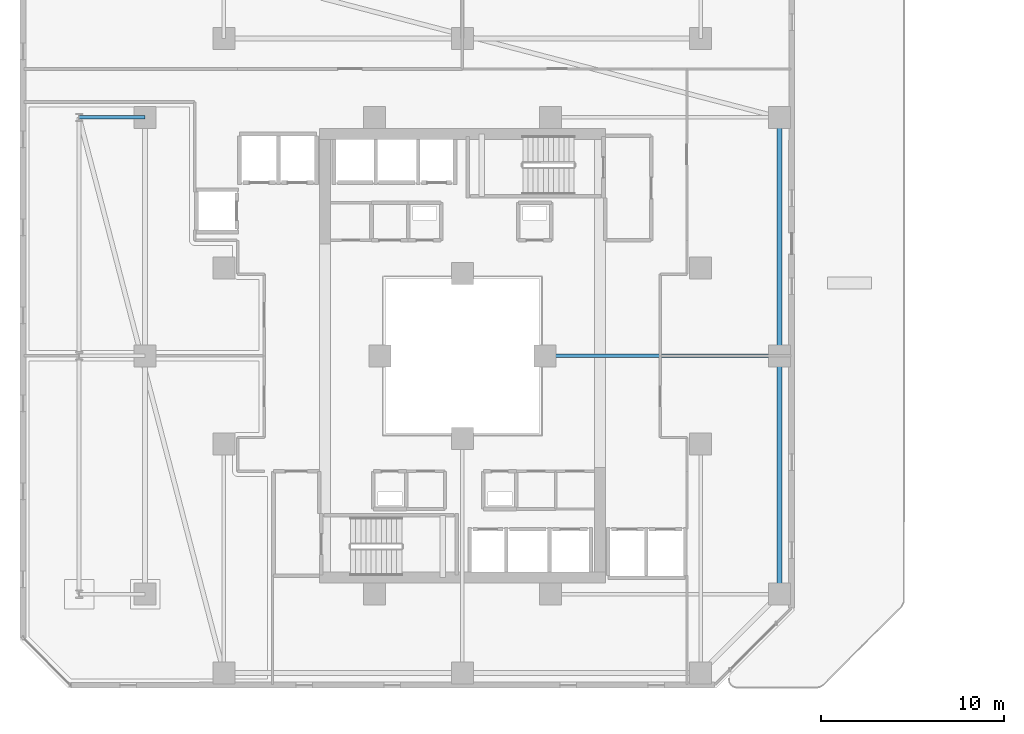
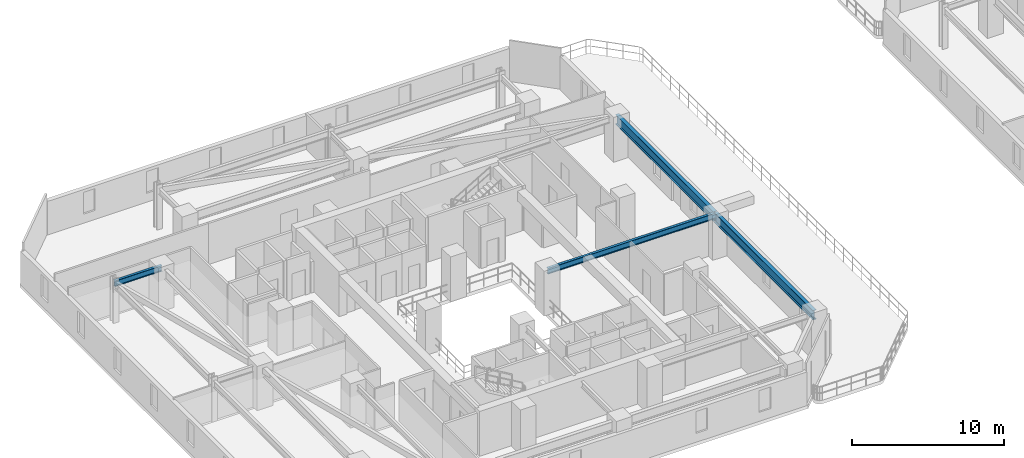
# One storey, part 7 of 33: 4 beams.
"""IFC4 building model written with IfcOpenShell, lengths in metres."""

from ifc_helpers import new_model, si_unit, direction, frame, origin, origin_2d, place, context, subcontext, project, spatial, i_section, extrude, material, material_profile, profile_set, type_object, element, save


model = new_model("IFC4")

# Units and contexts
model_context = context("Model", 3, precision=1e-05, world=origin(), true_north=direction((0.0, 1.0)))
body_context = subcontext(model_context, "Body", "Model", "MODEL_VIEW")
ifc_project = project(units=[si_unit("LENGTHUNIT", "METRE"), si_unit("AREAUNIT", "SQUARE_METRE"), si_unit("VOLUMEUNIT", "CUBIC_METRE"), si_unit("PLANEANGLEUNIT", "RADIAN"), si_unit("MASSUNIT", "GRAM", prefix="KILO")], contexts=[model_context])

# Site, building, storey
site_placement = place(None, origin())
site = spatial("IfcSite", under=ifc_project, at=site_placement, CompositionType="ELEMENT")
building_placement = place(site_placement, origin())
building = spatial("IfcBuilding", under=site, at=building_placement, Name="Thornwick Lancets Civic Towers", CompositionType="ELEMENT")
storey_placement = place(building_placement, frame((0.0, 0.0, 98.10009765625)))
storey = spatial("IfcBuildingStorey", under=building, at=storey_placement, Name="L25", CompositionType="ELEMENT", Elevation=98.10009765625)

# Beams
ifc_material = material(Name="Steel S355JR", Category="steel")
ifc_material_profile_1 = material_profile(ifc_material, i_section(OverallWidth=0.26806640625, OverallDepth=0.769775390625, WebThickness=0.015625, FlangeThickness=0.025390625, FilletRadius=0.0166015625, at=origin_2d()), Name="UKB 762x267x197")
ifc_profile_set_1 = profile_set([ifc_material_profile_1], Name="Steel S355JR")
beam_type_1 = type_object("IfcBeamType", Name="BM_GIRD_762_197", PredefinedType="BEAM", material=ifc_profile_set_1)
beam_1_placement = place(storey_placement, frame((42.800048828125, 14.0, 2.93505859375), z_axis=(0.0, 1.0, 0.0), x_axis=(-1.0, 0.0, 0.0)))
element("IfcBeam", 1, at=beam_1_placement, inside=storey, type_object=beam_type_1, Name="BM-SPINE-L25-A-3-4", PredefinedType="BEAM", context=body_context, shape_type="SweptSolid", body=[
    extrude(i_section(OverallWidth=0.26806640625, OverallDepth=0.769775390625, WebThickness=0.015625, FlangeThickness=0.025390625, FilletRadius=0.0166015625, at=origin_2d()), origin(), (0.0, 0.0, 1.0), 13.0),
])
beam_2_placement = place(storey_placement, frame((42.800048828125, 27.080078125, 2.93505859375), z_axis=(0.0, 1.0, 0.0), x_axis=(-1.0, 0.0, 0.0)))
element("IfcBeam", 2, at=beam_2_placement, inside=storey, type_object=beam_type_1, Name="BM-SPINE-L25-A-4-5", PredefinedType="BEAM", context=body_context, shape_type="SweptSolid", body=[
    extrude(i_section(OverallWidth=0.26806640625, OverallDepth=0.769775390625, WebThickness=0.015625, FlangeThickness=0.025390625, FilletRadius=0.0166015625, at=origin_2d()), origin(), (0.0, 0.0, 1.0), 12.919921875),
])
ifc_material_profile_2 = material_profile(ifc_material, i_section(OverallWidth=0.19287109375, OverallDepth=0.46728515625, WebThickness=0.011474609375, FlangeThickness=0.01953125, FilletRadius=0.01025390625, at=origin_2d()), Name="UKB 457x191x98")
ifc_profile_set_2 = profile_set([ifc_material_profile_2], Name="Steel S355JR")
beam_type_2 = type_object("IfcBeamType", Name="BM_JOIST_457_98", PredefinedType="JOIST", material=ifc_profile_set_2)
beam_3_placement = place(storey_placement, frame((30.0, 27.0, 3.086181640625), z_axis=(1.0, 0.0, 0.0), x_axis=(0.0, 1.0, 0.0)))
element("IfcBeam", 3, at=beam_3_placement, inside=storey, type_object=beam_type_2, Name="BM-RADIN-L25-A05", PredefinedType="JOIST", context=body_context, shape_type="SweptSolid", body=[
    extrude(i_section(OverallWidth=0.19287109375, OverallDepth=0.46728515625, WebThickness=0.011474609375, FlangeThickness=0.01953125, FilletRadius=0.01025390625, at=origin_2d()), origin(), (0.0, 0.0, 1.0), 12.800048828125),
])
beam_4_placement = place(storey_placement, frame((8.199951171875, 40.0, 3.086181640625), z_axis=(-1.0, 0.0, 0.0), x_axis=(0.0, -1.0, 0.0)))
element("IfcBeam", 4, at=beam_4_placement, inside=storey, type_object=beam_type_2, Name="BM-RAD-L25-A12", PredefinedType="JOIST", context=body_context, shape_type="SweptSolid", body=[
    extrude(i_section(OverallWidth=0.19287109375, OverallDepth=0.46728515625, WebThickness=0.011474609375, FlangeThickness=0.01953125, FilletRadius=0.01025390625, at=origin_2d()), origin(), (0.0, 0.0, 1.0), 3.599853515625),
])

save(model, "model.ifc")
